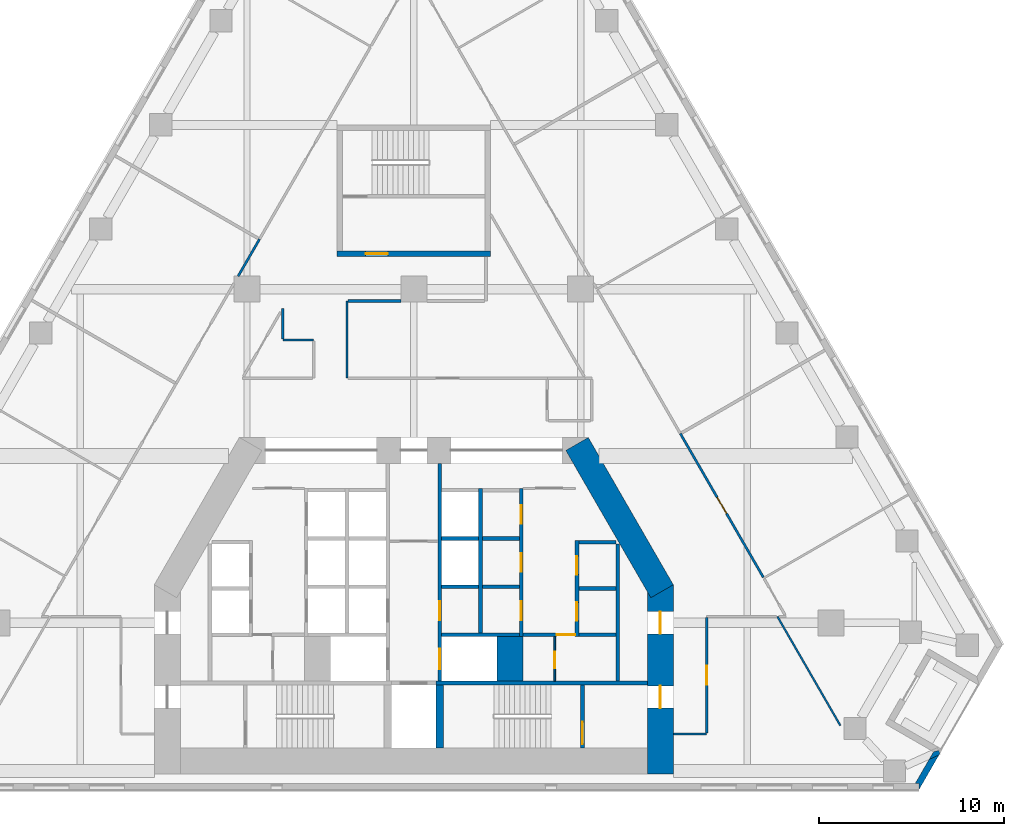
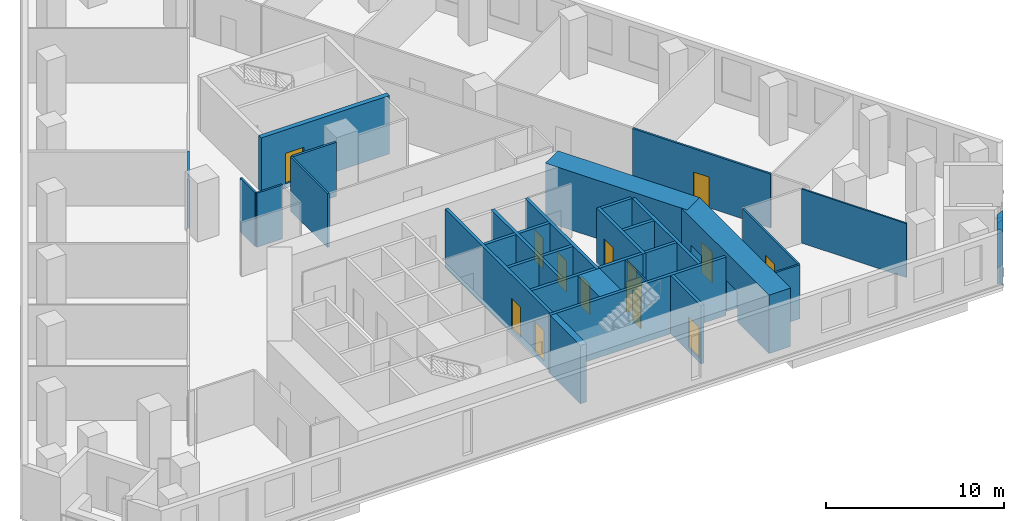
# One storey, part 6 of 11: 33 walls, 15 doors, 15 openings.
"""IFC4 building model written with IfcOpenShell, lengths in metres."""

from ifc_helpers import new_model, si_unit, direction, frame, frame_2d, origin, place, context, subcontext, project, spatial, polyline, rectangle, outline, extrude, material, layer, layer_set, type_object, element, fill, save


model = new_model("IFC4")

# Units and contexts
model_context = context("Model", 3, precision=1e-05, world=origin(), true_north=direction((0.0, 1.0)))
body_context = subcontext(model_context, "Body", "Model", "MODEL_VIEW")
ifc_project = project(units=[si_unit("LENGTHUNIT", "METRE"), si_unit("AREAUNIT", "SQUARE_METRE"), si_unit("VOLUMEUNIT", "CUBIC_METRE"), si_unit("PLANEANGLEUNIT", "RADIAN"), si_unit("MASSUNIT", "GRAM", prefix="KILO")], contexts=[model_context])

# Site, building, storey
site_placement = place(None, origin())
site = spatial("IfcSite", under=ifc_project, at=site_placement, CompositionType="ELEMENT")
building_placement = place(site_placement, origin())
building = spatial("IfcBuilding", under=site, at=building_placement, Name="Fogline Exchange Tower", CompositionType="ELEMENT")
storey_placement = place(building_placement, frame((0.0, 0.0, 56.89990234375)))
storey = spatial("IfcBuildingStorey", under=building, at=storey_placement, Name="L11", CompositionType="ELEMENT", Elevation=56.89990234375)

# Wall, opening, door
ifc_material_1 = material(Name="Blockwork partition", Category="masonry")
ifc_layer_1 = layer(ifc_material_1, 0.10009765625)
ifc_layer_set_1 = layer_set([ifc_layer_1], Name="CW10")
wall_type_1 = type_object("IfcWallType", Name="CW10", PredefinedType="PARTITIONING", material=ifc_layer_set_1)
wall_1_placement = place(storey_placement, frame((7.60009765625, 5.85009765625, 0.0), z_axis=(0.0, 0.0, 1.0), x_axis=(0.0, 1.0, 0.0)))
wall_1 = element("IfcWall", 1, at=wall_1_placement, inside=storey, type_object=wall_type_1, Name="WC partition", PredefinedType="PARTITIONING", context=body_context, shape_type="SweptSolid", body=[
    extrude(rectangle(XDim=2.39990234375, YDim=0.10009765625, at=frame_2d((1.199951171875, 0.0))), origin(), (0.0, 0.0, 1.0), 3.7001953125),
])
opening_1_placement = place(wall_1_placement, frame((0.699951171875, 0.0, 0.0)))
opening_1 = element("IfcOpeningElement", 2, at=opening_1_placement, cuts=wall_1, Name="Opening T03-C015", PredefinedType="OPENING", context=body_context, shape_type="SweptSolid", body=[
    extrude(rectangle(XDim=0.89990234375, YDim=2.10009765625, at=frame_2d((0.449951171875, 1.050048828125))), frame((0.0, 0.06005859375, 0.0), z_axis=(0.0, -1.0, 0.0), x_axis=(1.0, 0.0, 0.0)), (0.0, 0.0, 1.0), 0.1201171875),
])
ifc_material_2 = material(Name="Steel and timber fire door", Category="steel")
door_type_1 = type_object("IfcDoorType", Name="D-CS1", OperationType="SINGLE_SWING_RIGHT", PredefinedType="DOOR", material=ifc_material_2)
door_1_placement = place(opening_1_placement, origin())
door_1 = element("IfcDoor", 3, at=door_1_placement, inside=storey, type_object=door_type_1, Name="Door to Cleaner's Store", OperationType="SINGLE_SWING_LEFT", OverallHeight=2.10009765625, OverallWidth=0.89990234375, PredefinedType="DOOR", context=body_context, shape_type="SweptSolid", body=[
    extrude(rectangle(XDim=0.89990234375, YDim=2.10009765625, at=frame_2d((0.449951171875, 1.050048828125))), frame((0.0, 0.02490234375, 0.0), z_axis=(0.0, -1.0, 0.0), x_axis=(1.0, 0.0, 0.0)), (0.0, 0.0, 1.0), 0.050048828125),
])
fill(opening_1, door_1)

# Walls
ifc_material_3 = material(Name="Concrete C60", Category="concrete")
ifc_layer_2 = layer(ifc_material_3, 1.39990234375)
ifc_layer_set_2 = layer_set([ifc_layer_2], Name="CW140")
wall_type_2 = type_object("IfcWallType", Name="CW140", PredefinedType="SOLIDWALL", material=ifc_layer_set_2)
wall_2_placement = place(storey_placement, frame((5.199951171875, 5.85009765625, -0.2998046875), z_axis=(0.0, 0.0, 1.0), x_axis=(0.0, 1.0, 0.0)))
element("IfcWall", 4, at=wall_2_placement, inside=storey, type_object=wall_type_2, Name="Lift shaft block wall", PredefinedType="SOLIDWALL", context=body_context, shape_type="SweptSolid", body=[
    extrude(rectangle(XDim=2.39990234375, YDim=1.39990234375, at=frame_2d((1.199951171875, 0.0))), origin(), (0.0, 0.0, 1.0), 4.0),
])
ifc_material_4 = material(Name="Concrete C40", Category="concrete")
ifc_layer_3 = layer(ifc_material_4, 0.199951171875)
ifc_layer_set_3 = layer_set([ifc_layer_3], Name="CW20")
wall_type_3 = type_object("IfcWallType", Name="CW20", PredefinedType="SOLIDWALL", material=ifc_layer_set_3)
wall_3_placement = place(storey_placement, frame((11.0, 5.85009765625, 0.0), z_axis=(0.0, 0.0, 1.0), x_axis=(0.0, 1.0, 0.0)))
element("IfcWall", 5, at=wall_3_placement, inside=storey, type_object=wall_type_3, Name="Service room wall", PredefinedType="SOLIDWALL", context=body_context, shape_type="SweptSolid", body=[
    extrude(rectangle(XDim=7.39990234375, YDim=0.199951171875, at=frame_2d((3.699951171875, 0.0))), origin(), (0.0, 0.0, 1.0), 3.7001953125),
])

# Wall, opening, door
wall_4_placement = place(storey_placement, frame((5.89990234375, 8.35009765625, 0.0), z_axis=(0.0, 0.0, 1.0), x_axis=(1.0, 0.0, 0.0)))
wall_4 = element("IfcWall", 6, at=wall_4_placement, inside=storey, type_object=wall_type_3, Name="WC wall", PredefinedType="SOLIDWALL", context=body_context, shape_type="SweptSolid", body=[
    extrude(rectangle(XDim=2.800048828125, YDim=0.199951171875, at=frame_2d((1.39990234375, 0.0))), origin(), (0.0, 0.0, 1.0), 3.7001953125),
])
opening_2_placement = place(wall_4_placement, frame((1.800048828125, 0.0, 0.0)))
opening_2 = element("IfcOpeningElement", 7, at=opening_2_placement, cuts=wall_4, Name="Opening T03-C014", PredefinedType="OPENING", context=body_context, shape_type="SweptSolid", body=[
    extrude(rectangle(XDim=1.0, YDim=2.10009765625, at=frame_2d((0.5, 1.050048828125))), frame((0.0, 0.10986328125, 0.0), z_axis=(0.0, -1.0, 0.0), x_axis=(1.0, 0.0, 0.0)), (0.0, 0.0, 1.0), 0.219970703125),
])
door_type_2 = type_object("IfcDoorType", Name="D-WC1", OperationType="SINGLE_SWING_LEFT", PredefinedType="DOOR", material=ifc_material_2)
door_2_placement = place(opening_2_placement, frame((1.0, 0.0, 0.0), z_axis=(0.0, 0.0, 1.0), x_axis=(-1.0, 0.0, 0.0)))
door_2 = element("IfcDoor", 8, at=door_2_placement, inside=storey, type_object=door_type_2, Name="Door to Women's WC", OperationType="SINGLE_SWING_LEFT", OverallHeight=2.10009765625, OverallWidth=1.0, PredefinedType="DOOR", context=body_context, shape_type="SweptSolid", body=[
    extrude(rectangle(XDim=1.0, YDim=2.10009765625, at=frame_2d((0.5, 1.050048828125))), frame((0.0, 0.02490234375, 0.0), z_axis=(0.0, -1.0, 0.0), x_axis=(1.0, 0.0, 0.0)), (0.0, 0.0, 1.0), 0.050048828125),
])
fill(opening_2, door_2)

# Wall
ifc_layer_4 = layer(ifc_material_4, 0.199951171875)
ifc_layer_set_4 = layer_set([ifc_layer_4], Name="CW20R")
wall_type_4 = type_object("IfcWallType", Name="CW20R", PredefinedType="SOLIDWALL", material=ifc_layer_set_4)
wall_5_placement = place(storey_placement, frame((1.199951171875, 5.75, -0.2998046875), z_axis=(0.0, 0.0, 1.0), x_axis=(1.0, 0.0, 0.0)))
element("IfcWall", 9, at=wall_5_placement, inside=storey, type_object=wall_type_4, Name="Stair enclosure wall", PredefinedType="SOLIDWALL", context=body_context, shape_type="SweptSolid", body=[
    extrude(rectangle(XDim=11.400146484375, YDim=0.199951171875, at=frame_2d((5.7001953125, 0.0))), origin(), (0.0, 0.0, 1.0), 4.0),
])

# Wall, opening, door
wall_6_placement = place(storey_placement, frame((9.10009765625, 2.25, -0.2998046875), z_axis=(0.0, 0.0, 1.0), x_axis=(0.0, 1.0, 0.0)))
wall_6 = element("IfcWall", 10, at=wall_6_placement, inside=storey, type_object=wall_type_4, Name="Stair enclosure wall", PredefinedType="SOLIDWALL", context=body_context, shape_type="SweptSolid", body=[
    extrude(rectangle(XDim=3.39990234375, YDim=0.199951171875, at=frame_2d((1.699951171875, 0.0))), origin(), (0.0, 0.0, 1.0), 4.0),
])
opening_3_placement = place(wall_6_placement, frame((0.199951171875, 0.0, 0.300048828125)))
opening_3 = element("IfcOpeningElement", 11, at=opening_3_placement, cuts=wall_6, Name="Opening T03-C017", PredefinedType="OPENING", context=body_context, shape_type="SweptSolid", body=[
    extrude(rectangle(XDim=1.199951171875, YDim=2.10009765625, at=frame_2d((0.60009765625, 1.050048828125))), frame((0.0, 0.10986328125, 0.0), z_axis=(0.0, -1.0, 0.0), x_axis=(1.0, 0.0, 0.0)), (0.0, 0.0, 1.0), 0.219970703125),
])
door_type_3 = type_object("IfcDoorType", Name="D-ST1", OperationType="SINGLE_SWING_LEFT", PredefinedType="DOOR", material=ifc_material_2)
door_3_placement = place(opening_3_placement, origin())
door_3 = element("IfcDoor", 12, at=door_3_placement, inside=storey, type_object=door_type_3, Name="Stair door ST2", OperationType="SINGLE_SWING_LEFT", OverallHeight=2.10009765625, OverallWidth=1.199951171875, PredefinedType="DOOR", context=body_context, shape_type="SweptSolid", body=[
    extrude(rectangle(XDim=1.199951171875, YDim=2.10009765625, at=frame_2d((0.60009765625, 1.050048828125))), frame((0.0, 0.02490234375, 0.0), z_axis=(0.0, -1.0, 0.0), x_axis=(1.0, 0.0, 0.0)), (0.0, 0.0, 1.0), 0.050048828125),
])
fill(opening_3, door_3)

# Wall, openings, doors
ifc_layer_5 = layer(ifc_material_4, 0.199951171875)
ifc_layer_set_5 = layer_set([ifc_layer_5], Name="CW20S")
wall_type_5 = type_object("IfcWallType", Name="CW20S", PredefinedType="SOLIDWALL", material=ifc_layer_set_5)
wall_7_placement = place(storey_placement, frame((8.800048828125, 8.25, -0.2998046875), z_axis=(0.0, 0.0, 1.0), x_axis=(0.0, 1.0, 0.0)))
wall_7 = element("IfcWall", 13, at=wall_7_placement, inside=storey, type_object=wall_type_5, Name="Lift shaft wall", PredefinedType="SOLIDWALL", context=body_context, shape_type="SweptSolid", body=[
    extrude(rectangle(XDim=5.199951171875, YDim=0.199951171875, at=frame_2d((2.60009765625, 0.0))), origin(), (0.0, 0.0, 1.0), 4.0),
])
opening_4_placement = place(wall_7_placement, frame((0.85009765625, 0.0, 0.300048828125)))
opening_4 = element("IfcOpeningElement", 14, at=opening_4_placement, cuts=wall_7, Name="Opening T03-C001", PredefinedType="OPENING", context=body_context, shape_type="SweptSolid", body=[
    extrude(rectangle(XDim=1.0, YDim=2.10009765625, at=frame_2d((0.5, 1.050048828125))), frame((0.0, 0.10986328125, 0.0), z_axis=(0.0, -1.0, 0.0), x_axis=(1.0, 0.0, 0.0)), (0.0, 0.0, 1.0), 0.219970703125),
])
opening_5_placement = place(wall_7_placement, frame((3.35009765625, 0.0, 0.300048828125)))
opening_5 = element("IfcOpeningElement", 15, at=opening_5_placement, cuts=wall_7, Name="Opening T03-C002", PredefinedType="OPENING", context=body_context, shape_type="SweptSolid", body=[
    extrude(rectangle(XDim=1.0, YDim=2.10009765625, at=frame_2d((0.5, 1.050048828125))), frame((0.0, 0.10986328125, 0.0), z_axis=(0.0, -1.0, 0.0), x_axis=(1.0, 0.0, 0.0)), (0.0, 0.0, 1.0), 0.219970703125),
])
door_type_4 = type_object("IfcDoorType", Name="D-RM1", OperationType="SINGLE_SWING_LEFT", PredefinedType="DOOR", material=ifc_material_2)
door_4_placement = place(opening_4_placement, frame((1.0, 0.0, 0.0), z_axis=(0.0, 0.0, 1.0), x_axis=(-1.0, 0.0, 0.0)))
door_4 = element("IfcDoor", 16, at=door_4_placement, inside=storey, type_object=door_type_4, Name="Door to Library Store", OperationType="SINGLE_SWING_LEFT", OverallHeight=2.10009765625, OverallWidth=1.0, PredefinedType="DOOR", context=body_context, shape_type="SweptSolid", body=[
    extrude(rectangle(XDim=1.0, YDim=2.10009765625, at=frame_2d((0.5, 1.050048828125))), frame((0.0, 0.02490234375, 0.0), z_axis=(0.0, -1.0, 0.0), x_axis=(1.0, 0.0, 0.0)), (0.0, 0.0, 1.0), 0.050048828125),
])
fill(opening_4, door_4)
door_5_placement = place(opening_5_placement, frame((1.0, 0.0, 0.0), z_axis=(0.0, 0.0, 1.0), x_axis=(-1.0, 0.0, 0.0)))
door_5 = element("IfcDoor", 17, at=door_5_placement, inside=storey, type_object=door_type_4, Name="Door to Stationery Store", OperationType="SINGLE_SWING_LEFT", OverallHeight=2.10009765625, OverallWidth=1.0, PredefinedType="DOOR", context=body_context, shape_type="SweptSolid", body=[
    extrude(rectangle(XDim=1.0, YDim=2.10009765625, at=frame_2d((0.5, 1.050048828125))), frame((0.0, 0.02490234375, 0.0), z_axis=(0.0, -1.0, 0.0), x_axis=(1.0, 0.0, 0.0)), (0.0, 0.0, 1.0), 0.050048828125),
])
fill(opening_5, door_5)

wall_8_placement = place(storey_placement, frame((5.800048828125, 8.25, -0.2998046875), z_axis=(0.0, 0.0, 1.0), x_axis=(0.0, 1.0, 0.0)))
wall_8 = element("IfcWall", 18, at=wall_8_placement, inside=storey, type_object=wall_type_5, Name="Lift shaft wall", PredefinedType="SOLIDWALL", context=body_context, shape_type="SweptSolid", body=[
    extrude(rectangle(XDim=8.0, YDim=0.199951171875, at=frame_2d((4.0, 0.0))), origin(), (0.0, 0.0, 1.0), 4.0),
])
opening_6_placement = place(wall_8_placement, frame((0.89990234375, 0.0, 0.300048828125)))
opening_6 = element("IfcOpeningElement", 19, at=opening_6_placement, cuts=wall_8, Name="Opening T03-C003", PredefinedType="OPENING", context=body_context, shape_type="SweptSolid", body=[
    extrude(rectangle(XDim=1.0, YDim=2.10009765625, at=frame_2d((0.5, 1.050048828125))), frame((0.0, 0.10986328125, 0.0), z_axis=(0.0, -1.0, 0.0), x_axis=(1.0, 0.0, 0.0)), (0.0, 0.0, 1.0), 0.219970703125),
])
opening_7_placement = place(wall_8_placement, frame((3.5, 0.0, 0.300048828125)))
opening_7 = element("IfcOpeningElement", 20, at=opening_7_placement, cuts=wall_8, Name="Opening T03-C004", PredefinedType="OPENING", context=body_context, shape_type="SweptSolid", body=[
    extrude(rectangle(XDim=1.0, YDim=2.10009765625, at=frame_2d((0.5, 1.050048828125))), frame((0.0, 0.10986328125, 0.0), z_axis=(0.0, -1.0, 0.0), x_axis=(1.0, 0.0, 0.0)), (0.0, 0.0, 1.0), 0.219970703125),
])
opening_8_placement = place(wall_8_placement, frame((6.10009765625, 0.0, 0.300048828125)))
opening_8 = element("IfcOpeningElement", 21, at=opening_8_placement, cuts=wall_8, Name="Opening T03-C005", PredefinedType="OPENING", context=body_context, shape_type="SweptSolid", body=[
    extrude(rectangle(XDim=1.0, YDim=2.10009765625, at=frame_2d((0.5, 1.050048828125))), frame((0.0, 0.10986328125, 0.0), z_axis=(0.0, -1.0, 0.0), x_axis=(1.0, 0.0, 0.0)), (0.0, 0.0, 1.0), 0.219970703125),
])
door_6_placement = place(opening_6_placement, origin())
door_6 = element("IfcDoor", 22, at=door_6_placement, inside=storey, type_object=door_type_4, Name="Door to Records Store", OperationType="SINGLE_SWING_RIGHT", OverallHeight=2.10009765625, OverallWidth=1.0, PredefinedType="DOOR", context=body_context, shape_type="SweptSolid", body=[
    extrude(rectangle(XDim=1.0, YDim=2.10009765625, at=frame_2d((0.5, 1.050048828125))), frame((0.0, 0.02490234375, 0.0), z_axis=(0.0, -1.0, 0.0), x_axis=(1.0, 0.0, 0.0)), (0.0, 0.0, 1.0), 0.050048828125),
])
fill(opening_6, door_6)
door_7_placement = place(opening_7_placement, origin())
door_7 = element("IfcDoor", 23, at=door_7_placement, inside=storey, type_object=door_type_4, Name="Door to Riser Room", OperationType="SINGLE_SWING_LEFT", OverallHeight=2.10009765625, OverallWidth=1.0, PredefinedType="DOOR", context=body_context, shape_type="SweptSolid", body=[
    extrude(rectangle(XDim=1.0, YDim=2.10009765625, at=frame_2d((0.5, 1.050048828125))), frame((0.0, 0.02490234375, 0.0), z_axis=(0.0, -1.0, 0.0), x_axis=(1.0, 0.0, 0.0)), (0.0, 0.0, 1.0), 0.050048828125),
])
fill(opening_7, door_7)
door_8_placement = place(opening_8_placement, origin())
door_8 = element("IfcDoor", 24, at=door_8_placement, inside=storey, type_object=door_type_4, Name="Door to Plant Room", OperationType="SINGLE_SWING_LEFT", OverallHeight=2.10009765625, OverallWidth=1.0, PredefinedType="DOOR", context=body_context, shape_type="SweptSolid", body=[
    extrude(rectangle(XDim=1.0, YDim=2.10009765625, at=frame_2d((0.5, 1.050048828125))), frame((0.0, 0.02490234375, 0.0), z_axis=(0.0, -1.0, 0.0), x_axis=(1.0, 0.0, 0.0)), (0.0, 0.0, 1.0), 0.050048828125),
])
fill(opening_8, door_8)

# Wall
wall_9_placement = place(storey_placement, frame((3.60009765625, 8.449951171875, -0.2998046875), z_axis=(0.0, 0.0, 1.0), x_axis=(0.0, 1.0, 0.0)))
element("IfcWall", 25, at=wall_9_placement, inside=storey, type_object=wall_type_5, Name="Lift shaft wall", PredefinedType="SOLIDWALL", context=body_context, shape_type="SweptSolid", body=[
    extrude(rectangle(XDim=7.800048828125, YDim=0.199951171875, at=frame_2d((3.89990234375, 0.0))), origin(), (0.0, 0.0, 1.0), 4.0),
])

# Wall, openings, doors
wall_10_placement = place(storey_placement, frame((1.39990234375, 5.85009765625, -0.2998046875), z_axis=(0.0, 0.0, 1.0), x_axis=(0.0, 1.0, 0.0)))
wall_10 = element("IfcWall", 26, at=wall_10_placement, inside=storey, type_object=wall_type_5, Name="Lift lobby wall", PredefinedType="SOLIDWALL", context=body_context, shape_type="SweptSolid", body=[
    extrude(rectangle(XDim=11.75, YDim=0.199951171875, at=frame_2d((5.875, 0.0))), origin(), (0.0, 0.0, 1.0), 4.0),
])
opening_9_placement = place(wall_10_placement, frame((0.64990234375, 0.0, 0.300048828125)))
opening_9 = element("IfcOpeningElement", 27, at=opening_9_placement, cuts=wall_10, Name="Opening T03-LD08", PredefinedType="OPENING", context=body_context, shape_type="SweptSolid", body=[
    extrude(rectangle(XDim=1.10009765625, YDim=2.10009765625, at=frame_2d((0.550048828125, 1.050048828125))), frame((0.0, 0.10986328125, 0.0), z_axis=(0.0, -1.0, 0.0), x_axis=(1.0, 0.0, 0.0)), (0.0, 0.0, 1.0), 0.219970703125),
])
opening_10_placement = place(wall_10_placement, frame((3.300048828125, 0.0, 0.300048828125)))
opening_10 = element("IfcOpeningElement", 28, at=opening_10_placement, cuts=wall_10, Name="Opening T03-C006", PredefinedType="OPENING", context=body_context, shape_type="SweptSolid", body=[
    extrude(rectangle(XDim=1.0, YDim=2.10009765625, at=frame_2d((0.5, 1.050048828125))), frame((0.0, 0.10986328125, 0.0), z_axis=(0.0, -1.0, 0.0), x_axis=(1.0, 0.0, 0.0)), (0.0, 0.0, 1.0), 0.219970703125),
])
door_9_placement = place(opening_10_placement, frame((1.0, 0.0, 0.0), z_axis=(0.0, 0.0, 1.0), x_axis=(-1.0, 0.0, 0.0)))
door_9 = element("IfcDoor", 29, at=door_9_placement, inside=storey, type_object=door_type_4, Name="Door to Cable Store", OperationType="SINGLE_SWING_RIGHT", OverallHeight=2.10009765625, OverallWidth=1.0, PredefinedType="DOOR", context=body_context, shape_type="SweptSolid", body=[
    extrude(rectangle(XDim=1.0, YDim=2.10009765625, at=frame_2d((0.5, 1.050048828125))), frame((0.0, 0.02490234375, 0.0), z_axis=(0.0, -1.0, 0.0), x_axis=(1.0, 0.0, 0.0)), (0.0, 0.0, 1.0), 0.050048828125),
])
fill(opening_10, door_9)
door_type_5 = type_object("IfcDoorType", Name="LD2", OperationType="SLIDING_TO_RIGHT", PredefinedType="DOOR", material=ifc_material_2)
door_10_placement = place(opening_9_placement, origin())
door_10 = element("IfcDoor", 30, at=door_10_placement, inside=storey, type_object=door_type_5, Name="Landing door FF2", OperationType="SLIDING_TO_RIGHT", OverallHeight=2.10009765625, OverallWidth=1.10009765625, PredefinedType="DOOR", context=body_context, shape_type="SweptSolid", body=[
    extrude(rectangle(XDim=1.10009765625, YDim=2.10009765625, at=frame_2d((0.550048828125, 1.050048828125))), frame((0.0, 0.02490234375, 0.0), z_axis=(0.0, -1.0, 0.0), x_axis=(1.0, 0.0, 0.0)), (0.0, 0.0, 1.0), 0.050048828125),
])
fill(opening_9, door_10)

# Walls
wall_11_placement = place(storey_placement, frame((8.89990234375, 8.35009765625, -0.2998046875), z_axis=(0.0, 0.0, 1.0), x_axis=(1.0, 0.0, 0.0)))
element("IfcWall", 31, at=wall_11_placement, inside=storey, type_object=wall_type_5, Name="Lift shaft wall", PredefinedType="SOLIDWALL", context=body_context, shape_type="SweptSolid", body=[
    extrude(rectangle(XDim=2.0, YDim=0.199951171875, at=frame_2d((1.0, 0.0))), origin(), (0.0, 0.0, 1.0), 4.0),
])
wall_12_placement = place(storey_placement, frame((1.5, 8.35009765625, -0.2998046875), z_axis=(0.0, 0.0, 1.0), x_axis=(1.0, 0.0, 0.0)))
element("IfcWall", 32, at=wall_12_placement, inside=storey, type_object=wall_type_5, Name="Lift shaft wall", PredefinedType="SOLIDWALL", context=body_context, shape_type="SweptSolid", body=[
    extrude(rectangle(XDim=4.199951171875, YDim=0.199951171875, at=frame_2d((2.10009765625, 0.0))), origin(), (0.0, 0.0, 1.0), 4.0),
])
for number, where, z_axis, x_axis, name in (
    (33, (8.89990234375, 10.85009765625, -0.2998046875), (0.0, 0.0, 1.0), (1.0, 0.0, 0.0), "Lift shaft wall"),
    (34, (8.89990234375, 13.35009765625, -0.2998046875), (0.0, 0.0, 1.0), (1.0, 0.0, 0.0), "Lift shaft wall"),
    (35, (3.699951171875, 10.949951171875, -0.2998046875), (0.0, 0.0, 1.0), (1.0, 0.0, 0.0), "Lift shaft wall"),
    (36, (3.699951171875, 13.550048828125, -0.2998046875), (0.0, 0.0, 1.0), (1.0, 0.0, 0.0), "Lift shaft wall"),
    (37, (1.5, 10.949951171875, -0.2998046875), (0.0, 0.0, 1.0), (1.0, 0.0, 0.0), "Lift shaft wall"),
    (38, (1.5, 13.550048828125, -0.2998046875), (0.0, 0.0, 1.0), (1.0, 0.0, 0.0), "Lift shaft wall"),
):
    element("IfcWall", number, at=place(storey_placement, frame(where, z_axis=z_axis, x_axis=x_axis)), inside=storey, type_object=wall_type_5, Name=name, PredefinedType="SOLIDWALL", context=body_context, shape_type="SweptSolid", body=[
        extrude(rectangle(XDim=2.0, YDim=0.199951171875, at=frame_2d((1.0, 0.0))), origin(), (0.0, 0.0, 1.0), 4.0),
    ])

# Wall, opening, door
ifc_layer_6 = layer(ifc_material_4, 0.300048828125)
ifc_layer_set_6 = layer_set([ifc_layer_6], Name="CW30")
wall_type_6 = type_object("IfcWallType", Name="CW30", PredefinedType="SOLIDWALL", material=ifc_layer_set_6)
wall_13_placement = place(storey_placement, frame((-4.14990234375, 28.906982421875, -0.2998046875), z_axis=(0.0, 0.0, 1.0), x_axis=(1.0, 0.0, 0.0)))
wall_13 = element("IfcWall", 39, at=wall_13_placement, inside=storey, type_object=wall_type_6, Name="Stair enclosure wall ST3", PredefinedType="SOLIDWALL", context=body_context, shape_type="SweptSolid", body=[
    extrude(rectangle(XDim=8.2998046875, YDim=0.300048828125, at=frame_2d((4.14990234375, 0.0))), origin(), (0.0, 0.0, 1.0), 4.0),
])
opening_11_placement = place(wall_13_placement, frame((1.550048828125, 0.0, 0.300048828125)))
opening_11 = element("IfcOpeningElement", 40, at=opening_11_placement, cuts=wall_13, Name="Opening T03-C023", PredefinedType="OPENING", context=body_context, shape_type="SweptSolid", body=[
    extrude(rectangle(XDim=1.199951171875, YDim=2.10009765625, at=frame_2d((0.60009765625, 1.050048828125))), frame((0.0, 0.16015625, 0.0), z_axis=(0.0, -1.0, 0.0), x_axis=(1.0, 0.0, 0.0)), (0.0, 0.0, 1.0), 0.320068359375),
])
door_type_6 = type_object("IfcDoorType", Name="D-FR1", OperationType="SINGLE_SWING_RIGHT", PredefinedType="DOOR", material=ifc_material_2)
door_11_placement = place(opening_11_placement, origin())
door_11 = element("IfcDoor", 41, at=door_11_placement, inside=storey, type_object=door_type_6, Name="Front room door ST3", OperationType="SINGLE_SWING_LEFT", OverallHeight=2.10009765625, OverallWidth=1.199951171875, PredefinedType="DOOR", context=body_context, shape_type="SweptSolid", body=[
    extrude(rectangle(XDim=1.199951171875, YDim=2.10009765625, at=frame_2d((0.60009765625, 1.050048828125))), frame((0.0, 0.02490234375, 0.0), z_axis=(0.0, -1.0, 0.0), x_axis=(1.0, 0.0, 0.0)), (0.0, 0.0, 1.0), 0.050048828125),
])
fill(opening_11, door_11)

# Walls
ifc_layer_7 = layer(ifc_material_4, 0.39990234375)
ifc_layer_set_7 = layer_set([ifc_layer_7], Name="CW40R")
wall_type_7 = type_object("IfcWallType", Name="CW40R", PredefinedType="SOLIDWALL", material=ifc_layer_set_7)
wall_14_placement = place(storey_placement, frame((1.39990234375, 2.25, -0.2998046875), z_axis=(0.0, 0.0, 1.0), x_axis=(0.0, 1.0, 0.0)))
element("IfcWall", 42, at=wall_14_placement, inside=storey, type_object=wall_type_7, Name="Stair and lift shaft wall", PredefinedType="SOLIDWALL", context=body_context, shape_type="SweptSolid", body=[
    extrude(rectangle(XDim=3.39990234375, YDim=0.39990234375, at=frame_2d((1.699951171875, 0.0))), origin(), (0.0, 0.0, 1.0), 4.0),
])
ifc_material_5 = material(Name="Brick masonry", Category="masonry")
ifc_layer_8 = layer(ifc_material_5, 0.340087890625)
ifc_layer_set_8 = layer_set([ifc_layer_8], Name="FW1")
wall_type_8 = type_object("IfcWallType", Name="FW1", PredefinedType="SOLIDWALL", material=ifc_layer_set_8)
wall_15_placement = place(storey_placement, origin())
element("IfcWall", 43, at=wall_15_placement, inside=storey, type_object=wall_type_8, Name="Brick wall L11 SE-c1", PredefinedType="SOLIDWALL", context=body_context, shape_type="SweptSolid", body=[
    extrude(outline(polyline([(28.334716796875, 1.86865234375), (27.80126953125, 1.626953125), (28.040283203125, 2.041015625), (28.319580078125, 2.115966796875), (28.388916015625, 1.962646484375), (28.334716796875, 1.86865234375)])), origin(), (0.0, 0.0, 1.0), 3.10009765625),
])
wall_16_placement = place(storey_placement, origin())
element("IfcWall", 44, at=wall_16_placement, inside=storey, type_object=wall_type_8, Name="Brick wall L11 SE-c1", PredefinedType="SOLIDWALL", context=body_context, shape_type="SweptSolid", body=[
    extrude(outline(polyline([(27.255126953125, -0.001220703125), (27.254638671875, -0.0009765625), (27.254638671875, 0.33935546875), (27.057861328125, 0.33935546875), (27.80126953125, 1.626953125), (28.334716796875, 1.86865234375), (27.255126953125, -0.001220703125)])), origin(), (0.0, 0.0, 1.0), 3.7001953125),
])
ifc_material_6 = material(Name="Plasterboard partition, 2 layers each side on steel studs", Category="steel")
ifc_layer_9 = layer(ifc_material_6, 0.10009765625)
ifc_layer_set_9 = layer_set([ifc_layer_9], Name="PW1")
wall_type_9 = type_object("IfcWallType", Name="PW1", PredefinedType="PARTITIONING", material=ifc_layer_set_9)
wall_17_placement = place(storey_placement, frame((19.615966796875, 9.340087890625, 0.0), z_axis=(0.0, 0.0, 1.0), x_axis=(0.499992018036, -0.866030012124, 0.0)))
element("IfcWall", 45, at=wall_17_placement, inside=storey, type_object=wall_type_9, Name="wall-L11-W055", PredefinedType="PARTITIONING", context=body_context, shape_type="SweptSolid", body=[
    extrude(rectangle(XDim=6.79443359375, YDim=0.10009765625, at=frame_2d((3.397216796875, 0.0))), origin(), (0.0, 0.0, 1.0), 3.7001953125),
])

# Wall, opening, door
ifc_material_7 = material(Name="Plasterboard corridor partition with mineral wool, 2 layers each side")
ifc_layer_10 = layer(ifc_material_7, 0.125)
ifc_layer_set_10 = layer_set([ifc_layer_10], Name="PW2")
wall_type_10 = type_object("IfcWallType", Name="PW2", PredefinedType="PARTITIONING", material=ifc_layer_set_10)
wall_18_placement = place(storey_placement, frame((15.800048828125, 9.277587890625, 0.0), z_axis=(0.0, 0.0, 1.0), x_axis=(0.0, -1.0, 0.0)))
wall_18 = element("IfcWall", 46, at=wall_18_placement, inside=storey, type_object=wall_type_10, Name="wall-L11-W001", PredefinedType="PARTITIONING", context=body_context, shape_type="SweptSolid", body=[
    extrude(rectangle(XDim=6.215087890625, YDim=0.125, at=frame_2d((3.107421875, 0.0))), origin(), (0.0, 0.0, 1.0), 3.7001953125),
])
opening_12_placement = place(wall_18_placement, frame((2.607421875, 0.0, 0.0)))
opening_12 = element("IfcOpeningElement", 47, at=opening_12_placement, cuts=wall_18, Name="Opening T03-D001", PredefinedType="OPENING", context=body_context, shape_type="SweptSolid", body=[
    extrude(rectangle(XDim=1.0, YDim=2.10009765625, at=frame_2d((0.5, 1.050048828125))), frame((0.0, 0.072509765625, 0.0), z_axis=(0.0, -1.0, 0.0), x_axis=(1.0, 0.0, 0.0)), (0.0, 0.0, 1.0), 0.14501953125),
])
ifc_material_8 = material(Name="Fire-rated timber door leaf with steel frame", Category="steel")
door_type_7 = type_object("IfcDoorType", Name="D3", OperationType="SINGLE_SWING_LEFT", PredefinedType="DOOR", material=ifc_material_8)
door_12_placement = place(opening_12_placement, origin())
door_12 = element("IfcDoor", 48, at=door_12_placement, inside=storey, type_object=door_type_7, Name="door-L11-D001", OperationType="SINGLE_SWING_LEFT", OverallHeight=2.10009765625, OverallWidth=1.0, PredefinedType="DOOR", context=body_context, shape_type="SweptSolid", body=[
    extrude(rectangle(XDim=1.0, YDim=2.10009765625, at=frame_2d((0.5, 1.050048828125))), frame((0.0, 0.02490234375, 0.0), z_axis=(0.0, -1.0, 0.0), x_axis=(1.0, 0.0, 0.0)), (0.0, 0.0, 1.0), 0.050048828125),
])
fill(opening_12, door_12)

# Walls
wall_19_placement = place(storey_placement, frame((15.800048828125, 3.0, 0.0), z_axis=(0.0, 0.0, 1.0), x_axis=(-1.0, 0.0, 0.0)))
element("IfcWall", 49, at=wall_19_placement, inside=storey, type_object=wall_type_10, Name="wall-L11-W002", PredefinedType="PARTITIONING", context=body_context, shape_type="SweptSolid", body=[
    extrude(rectangle(XDim=1.800048828125, YDim=0.125, at=frame_2d((0.89990234375, 0.0))), origin(), (0.0, 0.0, 1.0), 3.7001953125),
])
wall_20_placement = place(storey_placement, frame((-9.477783203125, 27.699951171875, 0.0), z_axis=(0.0, 0.0, 1.0), x_axis=(0.500030792419, 0.866007625043, 0.0)))
element("IfcWall", 50, at=wall_20_placement, inside=storey, type_object=wall_type_10, Name="wall-L11-W021", PredefinedType="PARTITIONING", context=body_context, shape_type="SweptSolid", body=[
    extrude(rectangle(XDim=2.307373046875, YDim=0.125, at=frame_2d((1.15380859375, 0.0))), origin(), (0.0, 0.0, 1.0), 3.7001953125),
])

# Wall, opening, door
wall_21_placement = place(storey_placement, frame((14.381591796875, 19.206298828125, 0.0), z_axis=(0.0, 0.0, 1.0), x_axis=(0.49998850867, -0.866032038205, 0.0)))
wall_21 = element("IfcWall", 51, at=wall_21_placement, inside=storey, type_object=wall_type_10, Name="wall-L11-W031", PredefinedType="PARTITIONING", context=body_context, shape_type="SweptSolid", body=[
    extrude(rectangle(XDim=8.949462890625, YDim=0.125, at=frame_2d((4.474609375, 0.0))), origin(), (0.0, 0.0, 1.0), 3.7001953125),
])
opening_13_placement = place(wall_21_placement, frame((3.974609375, 0.0, 0.0)))
opening_13 = element("IfcOpeningElement", 52, at=opening_13_placement, cuts=wall_21, Name="Opening T03-D017", PredefinedType="OPENING", context=body_context, shape_type="SweptSolid", body=[
    extrude(rectangle(XDim=1.0, YDim=2.10009765625, at=frame_2d((0.5, 1.050048828125))), frame((0.0, 0.072509765625, 0.0), z_axis=(0.0, -1.0, 0.0), x_axis=(1.0, 0.0, 0.0)), (0.0, 0.0, 1.0), 0.14501953125),
])
door_13_placement = place(opening_13_placement, origin())
door_13 = element("IfcDoor", 53, at=door_13_placement, inside=storey, type_object=door_type_7, Name="door-L11-D017", OperationType="SINGLE_SWING_LEFT", OverallHeight=2.10009765625, OverallWidth=1.0, PredefinedType="DOOR", context=body_context, shape_type="SweptSolid", body=[
    extrude(rectangle(XDim=1.0, YDim=2.10009765625, at=frame_2d((0.5, 1.050048828125))), frame((0.0, 0.02490234375, 0.0), z_axis=(0.0, -1.0, 0.0), x_axis=(1.0, 0.0, 0.0)), (0.0, 0.0, 1.0), 0.050048828125),
])
fill(opening_13, door_13)

# Walls
wall_22_placement = place(storey_placement, frame((-5.39990234375, 24.257080078125, 0.0), z_axis=(0.0, 0.0, 1.0), x_axis=(-1.0, 0.0, 0.0)))
element("IfcWall", 54, at=wall_22_placement, inside=storey, type_object=wall_type_10, Name="wall-L11-W035", PredefinedType="PARTITIONING", context=body_context, shape_type="SweptSolid", body=[
    extrude(rectangle(XDim=1.669921875, YDim=0.125, at=frame_2d((0.8349609375, 0.0))), origin(), (0.0, 0.0, 1.0), 3.7001953125),
])
wall_23_placement = place(storey_placement, frame((-7.06982421875, 24.319580078125, 0.0), z_axis=(0.0, 0.0, 1.0), x_axis=(0.0, 1.0, 0.0)))
element("IfcWall", 55, at=wall_23_placement, inside=storey, type_object=wall_type_10, Name="wall-L11-W036", PredefinedType="PARTITIONING", context=body_context, shape_type="SweptSolid", body=[
    extrude(rectangle(XDim=1.65087890625, YDim=0.125, at=frame_2d((0.825439453125, 0.0))), origin(), (0.0, 0.0, 1.0), 3.7001953125),
])
wall_24_placement = place(storey_placement, frame((-3.60009765625, 26.35693359375, 0.0), z_axis=(0.0, 0.0, 1.0), x_axis=(0.0, -1.0, 0.0)))
element("IfcWall", 56, at=wall_24_placement, inside=storey, type_object=wall_type_10, Name="wall-L11-W037", PredefinedType="PARTITIONING", context=body_context, shape_type="SweptSolid", body=[
    extrude(rectangle(XDim=4.156982421875, YDim=0.125, at=frame_2d((2.07861328125, 0.0))), origin(), (0.0, 0.0, 1.0), 3.7001953125),
])
ifc_material_9 = material(Name="Plasterboard stair lobby partition, 3 layers each side on steel studs", Category="steel")
ifc_layer_11 = layer(ifc_material_9, 0.14990234375)
ifc_layer_set_11 = layer_set([ifc_layer_11], Name="PW4")
wall_type_11 = type_object("IfcWallType", Name="PW4", PredefinedType="PARTITIONING", material=ifc_layer_set_11)
wall_25_placement = place(storey_placement, frame((-0.699951171875, 26.35693359375, 0.0), z_axis=(0.0, 0.0, 1.0), x_axis=(-1.0, 0.0, 0.0)))
element("IfcWall", 57, at=wall_25_placement, inside=storey, type_object=wall_type_11, Name="wall-L11-W034", PredefinedType="PARTITIONING", context=body_context, shape_type="SweptSolid", body=[
    extrude(rectangle(XDim=2.837646484375, YDim=0.14990234375, at=frame_2d((1.4189453125, 0.0))), origin(), (0.0, 0.0, 1.0), 3.7001953125),
])

# Wall, openings, doors
ifc_layer_12 = layer(ifc_material_3, 1.39990234375)
ifc_layer_set_12 = layer_set([ifc_layer_12], Name="SW01")
wall_type_12 = type_object("IfcWallType", Name="SW01", PredefinedType="SHEAR", material=ifc_layer_set_12)
wall_26_placement = place(storey_placement, frame((13.300048828125, 0.85009765625, 0.0), z_axis=(0.0, 0.0, 1.0), x_axis=(0.0, 1.0, 0.0)))
wall_26 = element("IfcWall", 58, at=wall_26_placement, inside=storey, type_object=wall_type_12, Name="L11-W902", PredefinedType="SHEAR", context=body_context, shape_type="SweptSolid", body=[
    extrude(rectangle(XDim=10.202392578125, YDim=1.39990234375, at=frame_2d((5.10107421875, 0.0))), origin(), (0.0, 0.0, 1.0), 4.0),
])
opening_14_placement = place(wall_26_placement, frame((3.550048828125, 0.0, 0.0)))
opening_14 = element("IfcOpeningElement", 59, at=opening_14_placement, cuts=wall_26, Name="Opening T03-C016", PredefinedType="OPENING", context=body_context, shape_type="SweptSolid", body=[
    extrude(rectangle(XDim=1.199951171875, YDim=2.10009765625, at=frame_2d((0.60009765625, 1.050048828125))), frame((0.0, 0.7099609375, 0.0), z_axis=(0.0, -1.0, 0.0), x_axis=(1.0, 0.0, 0.0)), (0.0, 0.0, 1.0), 1.419921875),
])
opening_15_placement = place(wall_26_placement, frame((7.550048828125, 0.0, 0.0)))
opening_15 = element("IfcOpeningElement", 60, at=opening_15_placement, cuts=wall_26, Name="Opening T03-C018", PredefinedType="OPENING", context=body_context, shape_type="SweptSolid", body=[
    extrude(rectangle(XDim=1.199951171875, YDim=2.10009765625, at=frame_2d((0.60009765625, 1.050048828125))), frame((0.0, 0.7099609375, 0.0), z_axis=(0.0, -1.0, 0.0), x_axis=(1.0, 0.0, 0.0)), (0.0, 0.0, 1.0), 1.419921875),
])
door_14_placement = place(opening_14_placement, origin())
door_14 = element("IfcDoor", 61, at=door_14_placement, inside=storey, type_object=door_type_6, Name="Front room door ST2", OperationType="SINGLE_SWING_RIGHT", OverallHeight=2.10009765625, OverallWidth=1.199951171875, PredefinedType="DOOR", context=body_context, shape_type="SweptSolid", body=[
    extrude(rectangle(XDim=1.199951171875, YDim=2.10009765625, at=frame_2d((0.60009765625, 1.050048828125))), frame((0.0, 0.02490234375, 0.0), z_axis=(0.0, -1.0, 0.0), x_axis=(1.0, 0.0, 0.0)), (0.0, 0.0, 1.0), 0.050048828125),
])
fill(opening_14, door_14)
door_type_8 = type_object("IfcDoorType", Name="D-SV1", OperationType="SINGLE_SWING_LEFT", PredefinedType="DOOR", material=ifc_material_2)
door_15_placement = place(opening_15_placement, origin())
door_15 = element("IfcDoor", 62, at=door_15_placement, inside=storey, type_object=door_type_8, Name="Service door E", OperationType="SINGLE_SWING_RIGHT", OverallHeight=2.10009765625, OverallWidth=1.199951171875, PredefinedType="DOOR", context=body_context, shape_type="SweptSolid", body=[
    extrude(rectangle(XDim=1.199951171875, YDim=2.10009765625, at=frame_2d((0.60009765625, 1.050048828125))), frame((0.0, 0.02490234375, 0.0), z_axis=(0.0, -1.0, 0.0), x_axis=(1.0, 0.0, 0.0)), (0.0, 0.0, 1.0), 0.050048828125),
])
fill(opening_15, door_15)

# Wall
wall_27_placement = place(storey_placement, frame((13.393798828125, 10.70263671875, 0.0), z_axis=(0.0, 0.0, 1.0), x_axis=(-0.50000187635, 0.866024320471, 0.0)))
element("IfcWall", 63, at=wall_27_placement, inside=storey, type_object=wall_type_12, Name="L11-W903", PredefinedType="SHEAR", context=body_context, shape_type="SweptSolid", body=[
    extrude(rectangle(XDim=9.1767578125, YDim=1.39990234375, at=frame_2d((4.58837890625, 0.0))), origin(), (0.0, 0.0, 1.0), 4.0),
])

save(model, "model.ifc")
